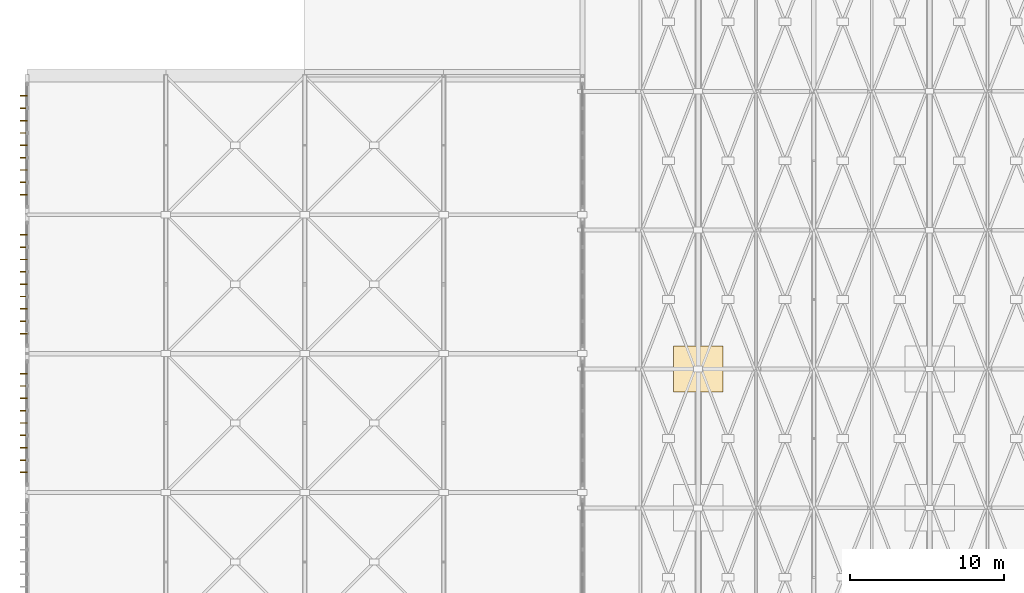
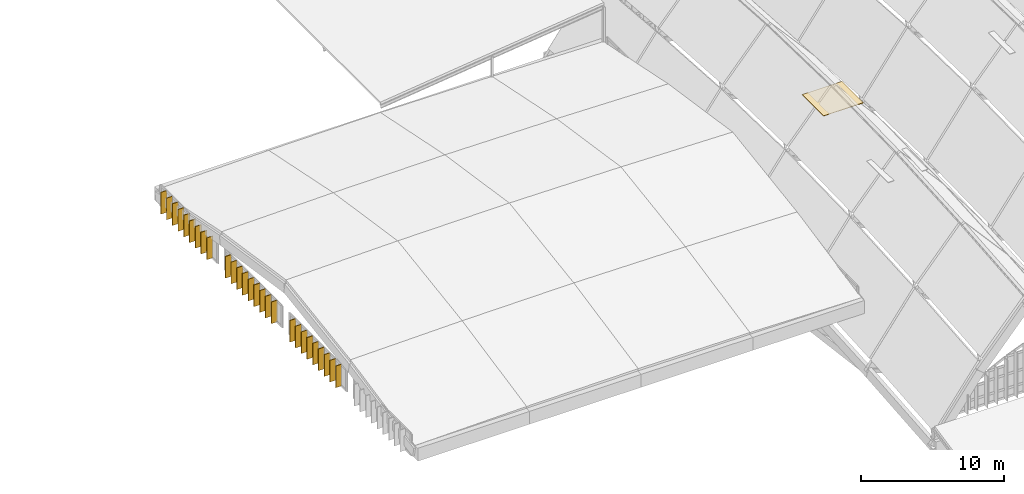
# One storey, part 85 of 93: 27 shading devices, 1 covering.
"""IFC4 building model written with IfcOpenShell, lengths in metres."""

from ifc_helpers import new_model, si_unit, direction, frame, origin, origin_2d, place, context, subcontext, project, spatial, polyline, rectangle, outline, extrude, material, layer, layer_set, material_profile, profile_set, type_object, element, save


model = new_model("IFC4")

# Units and contexts
model_context = context("Model", 3, precision=1e-05, world=origin(), true_north=direction((0.0, 1.0)))
body_context = subcontext(model_context, "Body", "Model", "MODEL_VIEW")
ifc_project = project(units=[si_unit("LENGTHUNIT", "METRE"), si_unit("AREAUNIT", "SQUARE_METRE"), si_unit("VOLUMEUNIT", "CUBIC_METRE"), si_unit("PLANEANGLEUNIT", "RADIAN"), si_unit("MASSUNIT", "GRAM", prefix="KILO")], contexts=[model_context])

# Site, building, storey
site_placement = place(None, origin())
site = spatial("IfcSite", under=ifc_project, at=site_placement, CompositionType="ELEMENT")
building_placement = place(site_placement, origin())
building = spatial("IfcBuilding", under=site, at=building_placement, Name="Vourika Railside Aquatics Centre", CompositionType="ELEMENT")
storey_placement = place(building_placement, frame((0.0, 0.0, 21.89990234375)))
storey = spatial("IfcBuildingStorey", under=building, at=storey_placement, Name="Roof", CompositionType="ELEMENT", Elevation=21.89990234375)

# Covering
ifc_material_1 = material(Name="Glulam GL28h", Category="wood")
ifc_layer = layer(ifc_material_1, 0.034912109375, Name="COV-SOFFIT-TIM35")
ifc_layer_set = layer_set([ifc_layer], Name="Glulam GL28h")
covering_type = type_object("IfcCoveringType", Name="COV-SOFFIT-TIM35", PredefinedType="CEILING", material=ifc_layer_set)
covering_placement = place(storey_placement, frame((0.0, 0.0, -1.15478515625)))
element("IfcCovering", 1, at=covering_placement, inside=storey, type_object=covering_type, Name="Perforated Acoustic Timber Soffit Liner Bay 1-2", PredefinedType="CEILING", context=body_context, shape_type="SweptSolid", body=[
    extrude(outline(polyline([(41.89990234375, 37.5), (45.10009765625, 37.5), (45.10009765625, 40.5), (41.89990234375, 40.5), (41.89990234375, 37.5)])), origin(), (0.0, 0.0, 1.0), 0.036865234375),
])

# Shading devices
ifc_material_2 = material(Name="Bronze-anodized extruded aluminium", Category="aluminium")
ifc_material_profile = material_profile(ifc_material_2, rectangle(XDim=0.06005859375, YDim=0.47998046875, at=origin_2d()), Name="ALU-FIN 60x480")
ifc_profile_set = profile_set([ifc_material_profile], Name="Bronze-anodized extruded aluminium")
shading_device_type = type_object("IfcShadingDeviceType", Name="SHD-FIN-F48A", PredefinedType="USERDEFINED", material=ifc_profile_set)
for number, where, z_axis, x_axis, name in (
    (2, (-0.215087890625, 32.300048828125, -6.2998046875), (0.0, 0.0, 1.0), (0.0, 1.0, 0.0), "Vertical Solar Fin VSF-0292"),
    (3, (-0.215087890625, 33.10009765625, -6.2998046875), (0.0, 0.0, 1.0), (0.0, 1.0, 0.0), "Vertical Solar Fin VSF-0293"),
    (4, (-0.215087890625, 33.89990234375, -6.2998046875), (0.0, 0.0, 1.0), (0.0, 1.0, 0.0), "Vertical Solar Fin VSF-0294"),
    (5, (-0.215087890625, 34.699951171875, -6.2998046875), (0.0, 0.0, 1.0), (0.0, 1.0, 0.0), "Vertical Solar Fin VSF-0295"),
    (6, (-0.215087890625, 35.5, -6.2998046875), (0.0, 0.0, 1.0), (0.0, 1.0, 0.0), "Vertical Solar Fin VSF-0296"),
    (7, (-0.215087890625, 36.300048828125, -6.2998046875), (0.0, 0.0, 1.0), (0.0, 1.0, 0.0), "Vertical Solar Fin VSF-0297"),
    (8, (-0.215087890625, 37.10009765625, -6.2998046875), (0.0, 0.0, 1.0), (0.0, 1.0, 0.0), "Vertical Solar Fin VSF-0298"),
    (9, (-0.215087890625, 37.89990234375, -6.2998046875), (0.0, 0.0, 1.0), (0.0, 1.0, 0.0), "Vertical Solar Fin VSF-0299"),
    (10, (-0.215087890625, 38.699951171875, -6.2998046875), (0.0, 0.0, 1.0), (0.0, 1.0, 0.0), "Vertical Solar Fin VSF-0300"),
    (11, (-0.215087890625, 41.300048828125, -6.2998046875), (0.0, 0.0, 1.0), (0.0, 1.0, 0.0), "Vertical Solar Fin VSF-0301"),
    (12, (-0.215087890625, 42.10009765625, -6.2998046875), (0.0, 0.0, 1.0), (0.0, 1.0, 0.0), "Vertical Solar Fin VSF-0302"),
    (13, (-0.215087890625, 42.89990234375, -6.2998046875), (0.0, 0.0, 1.0), (0.0, 1.0, 0.0), "Vertical Solar Fin VSF-0303"),
    (14, (-0.215087890625, 43.699951171875, -6.2998046875), (0.0, 0.0, 1.0), (0.0, 1.0, 0.0), "Vertical Solar Fin VSF-0304"),
    (15, (-0.215087890625, 44.5, -6.2998046875), (0.0, 0.0, 1.0), (0.0, 1.0, 0.0), "Vertical Solar Fin VSF-0305"),
    (16, (-0.215087890625, 45.300048828125, -6.2998046875), (0.0, 0.0, 1.0), (0.0, 1.0, 0.0), "Vertical Solar Fin VSF-0306"),
    (17, (-0.215087890625, 46.10009765625, -6.2998046875), (0.0, 0.0, 1.0), (0.0, 1.0, 0.0), "Vertical Solar Fin VSF-0307"),
    (18, (-0.215087890625, 46.89990234375, -6.2998046875), (0.0, 0.0, 1.0), (0.0, 1.0, 0.0), "Vertical Solar Fin VSF-0308"),
    (19, (-0.215087890625, 47.699951171875, -6.2998046875), (0.0, 0.0, 1.0), (0.0, 1.0, 0.0), "Vertical Solar Fin VSF-0309"),
    (20, (-0.215087890625, 50.300048828125, -6.2998046875), (0.0, 0.0, 1.0), (0.0, 1.0, 0.0), "Vertical Solar Fin VSF-0310"),
    (21, (-0.215087890625, 51.10009765625, -6.2998046875), (0.0, 0.0, 1.0), (0.0, 1.0, 0.0), "Vertical Solar Fin VSF-0311"),
    (22, (-0.215087890625, 51.89990234375, -6.2998046875), (0.0, 0.0, 1.0), (0.0, 1.0, 0.0), "Vertical Solar Fin VSF-0312"),
    (23, (-0.215087890625, 52.699951171875, -6.2998046875), (0.0, 0.0, 1.0), (0.0, 1.0, 0.0), "Vertical Solar Fin VSF-0313"),
    (24, (-0.215087890625, 53.5, -6.2998046875), (0.0, 0.0, 1.0), (0.0, 1.0, 0.0), "Vertical Solar Fin VSF-0314"),
    (25, (-0.215087890625, 54.300048828125, -6.2998046875), (0.0, 0.0, 1.0), (0.0, 1.0, 0.0), "Vertical Solar Fin VSF-0315"),
    (26, (-0.215087890625, 55.10009765625, -6.2998046875), (0.0, 0.0, 1.0), (0.0, 1.0, 0.0), "Vertical Solar Fin VSF-0316"),
    (27, (-0.215087890625, 55.89990234375, -6.2998046875), (0.0, 0.0, 1.0), (0.0, 1.0, 0.0), "Vertical Solar Fin VSF-0317"),
    (28, (-0.215087890625, 56.699951171875, -6.2998046875), (0.0, 0.0, 1.0), (0.0, 1.0, 0.0), "Vertical Solar Fin VSF-0318"),
):
    element("IfcShadingDevice", number, at=place(storey_placement, frame(where, z_axis=z_axis, x_axis=x_axis)), inside=storey, type_object=shading_device_type, Name=name, ObjectType="FIN", PredefinedType="USERDEFINED", context=body_context, shape_type="SweptSolid", body=[
        extrude(rectangle(XDim=0.06005859375, YDim=0.47998046875, at=origin_2d()), origin(), (0.0, 0.0, 1.0), 1.849853515625),
    ])

save(model, "model.ifc")
